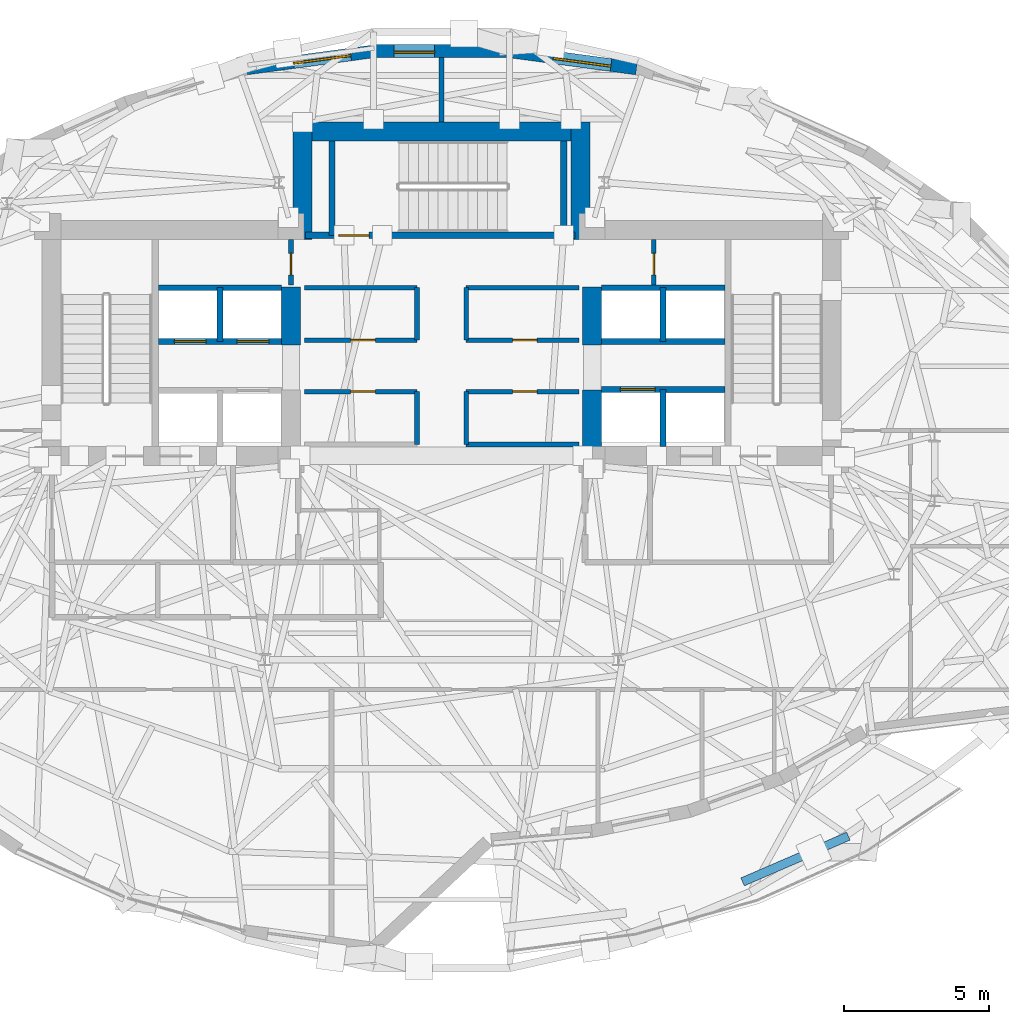
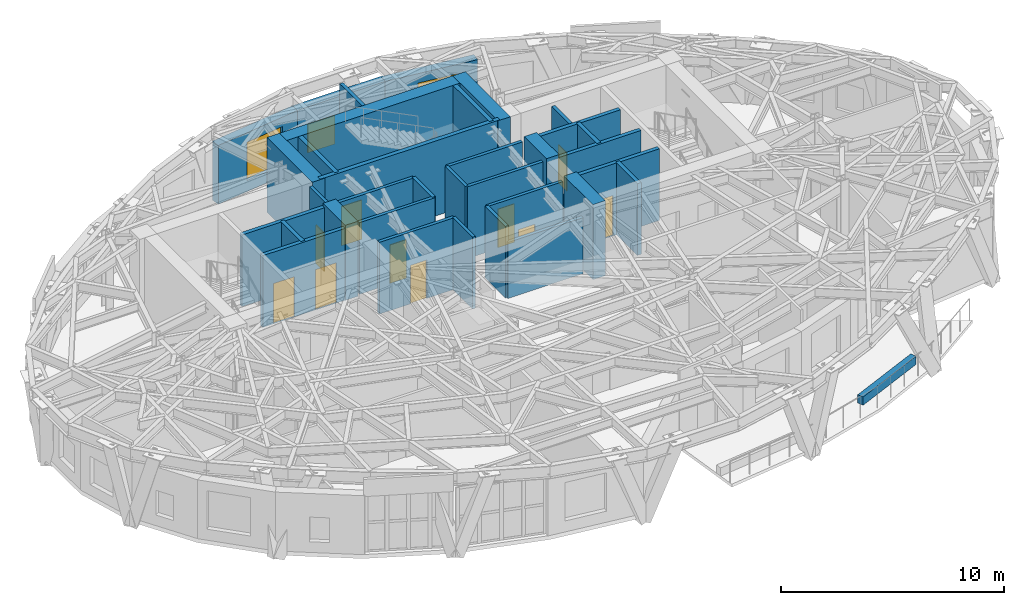
# One storey, part 10 of 15: 35 walls, 10 doors, 3 windows, 13 openings.
"""IFC4 building model written with IfcOpenShell, lengths in metres."""

import ifcopenshell
import ifcopenshell.guid

model = None  # the IFC model being written
_history = None  # IfcOwnerHistory: only IFC2X3 demands one
_inside = {}  # id of a spatial element -> (the spatial element, [elements in it])
_under = {}  # id of a project, library or spatial element -> (it, [spatial elements below it])
_declared = {}  # id of a project -> (the project, [libraries it declares])
_typed = {}  # id of a type object -> (the type object, [elements of that type])
_made_of = {}  # id of a material, layer set ... -> (it, [elements and type objects made of it])


def new_model(schema):
    """Start an empty IFC model of exactly this schema.

    Asked for "IFC4X3", IfcOpenShell would pick the latest addendum, in which some entities
    have other attributes; the version numbers below select the first issue.
    IFC2X3 requires an IfcOwnerHistory on every rooted entity: one is made here for all.
    """
    global model, _history
    if schema == "IFC4X3":
        model = ifcopenshell.file(schema_version=(4, 3, 0, 0))
    else:
        model = ifcopenshell.file(schema=schema)
    _inside.clear()
    _under.clear()
    _declared.clear()
    _typed.clear()
    _made_of.clear()
    _history = None
    if model.schema == "IFC2X3":
        org = make("IfcOrganization", Name="unknown")
        user = make(
            "IfcPersonAndOrganization",
            ThePerson=make("IfcPerson", FamilyName="unknown"),
            TheOrganization=org,
        )
        app = make(
            "IfcApplication",
            ApplicationDeveloper=org,
            Version="unknown",
            ApplicationFullName="unknown",
            ApplicationIdentifier="unknown",
        )
        _history = make(
            "IfcOwnerHistory",
            OwningUser=user,
            OwningApplication=app,
            ChangeAction="ADDED",
            CreationDate=0,
        )
    return model


def make(cls, **values):
    """One entity of the class cls with the attributes given. An attribute that is None is left unset."""
    return model.create_entity(
        cls, **{name: value for name, value in values.items() if value is not None}
    )


def rooted(cls, **values):
    """An entity with a GlobalId (a new one), such as an element, a storey or a relation."""
    return make(cls, GlobalId=ifcopenshell.guid.new(), OwnerHistory=_history, **values)


def si_unit(unit_type, name, prefix=None):
    """IfcSIUnit, for example si_unit("LENGTHUNIT", "METRE", prefix="MILLI")."""
    return make("IfcSIUnit", UnitType=unit_type, Prefix=prefix, Name=name)


def assignment(units):
    """IfcUnitAssignment: the units of a project."""
    return None if units is None else make("IfcUnitAssignment", Units=units)


def point(xyz):
    """IfcCartesianPoint."""
    return None if xyz is None else make("IfcCartesianPoint", Coordinates=xyz)


def direction(xyz):
    """IfcDirection."""
    return None if xyz is None else make("IfcDirection", DirectionRatios=xyz)


def frame(location, z_axis=None, x_axis=None):
    """IfcAxis2Placement3D, a coordinate frame: its origin and axes. An axis left out is left unset."""
    return make(
        "IfcAxis2Placement3D",
        Location=point(location),
        Axis=direction(z_axis),
        RefDirection=direction(x_axis),
    )


def frame_2d(location, x_axis=None):
    """IfcAxis2Placement2D, a coordinate frame in the plane: its origin and x axis."""
    return make(
        "IfcAxis2Placement2D", Location=point(location), RefDirection=direction(x_axis)
    )


def origin():
    """The frame at (0, 0, 0) with its axes left unset."""
    return frame((0.0, 0.0, 0.0))


def place(relative_to, where):
    """IfcLocalPlacement: puts the frame where relative to a parent placement (None: the world)."""
    return make(
        "IfcLocalPlacement", PlacementRelTo=relative_to, RelativePlacement=where
    )


def context(
    kind, dimensions, precision=None, world=None, true_north=None, identifier=None
):
    """IfcGeometricRepresentationContext, for example the 3D "Model" context."""
    return make(
        "IfcGeometricRepresentationContext",
        ContextIdentifier=identifier,
        ContextType=kind,
        CoordinateSpaceDimension=dimensions,
        Precision=precision,
        WorldCoordinateSystem=world,
        TrueNorth=true_north,
    )


def subcontext(parent, identifier, kind, view, scale=None):
    """IfcGeometricRepresentationSubContext, for example "Body" below "Model"."""
    return make(
        "IfcGeometricRepresentationSubContext",
        ContextIdentifier=identifier,
        ContextType=kind,
        ParentContext=parent,
        TargetScale=scale,
        TargetView=view,
    )


def project(units=None, contexts=None):
    """IfcProject with its units and contexts."""
    return rooted(
        "IfcProject",
        Name="project",
        RepresentationContexts=contexts,
        UnitsInContext=assignment(units),
    )


def spatial(cls, under=None, at=None, **own):
    """A site, building, storey or space (cls), placed at a placement, below another one or the project."""
    s = rooted(cls, ObjectPlacement=at, **own)
    if under is not None:
        _under.setdefault(under.id(), (under, []))[1].append(s)
    return s


def profile(cls, at=None, kind="AREA", **sizes):
    """A parametric profile (cls). Its sizes go by their IFC names, for example OverallWidth=200.0."""
    return make(cls, ProfileType=kind, Position=at, **sizes)


def rectangle(**sizes):
    """IfcRectangleProfileDef."""
    return profile("IfcRectangleProfileDef", **sizes)


def extrude(swept, where, along, depth):
    """IfcExtrudedAreaSolid: the profile swept, set in the frame where, extruded along a direction by depth."""
    return make(
        "IfcExtrudedAreaSolid",
        SweptArea=swept,
        Position=where,
        ExtrudedDirection=direction(along),
        Depth=depth,
    )


def shape(context_of_items, identifier, shape_type, items):
    """IfcShapeRepresentation: the items that make up one representation, for example the "Body"."""
    return make(
        "IfcShapeRepresentation",
        ContextOfItems=context_of_items,
        RepresentationIdentifier=identifier,
        RepresentationType=shape_type,
        Items=items,
    )


def material(Name=None, Category=None):
    """IfcMaterial."""
    return make("IfcMaterial", Name=Name, Category=Category)


def layer(
    of_material, thickness, ventilated=None, Name=None, Category=None, Priority=None
):
    """IfcMaterialLayer: one layer of a wall or slab, of a material (None: an air gap)."""
    return make(
        "IfcMaterialLayer",
        Material=of_material,
        LayerThickness=thickness,
        IsVentilated=ventilated,
        Name=Name,
        Category=Category,
        Priority=Priority,
    )


def layer_set(layers, Name=None):
    """IfcMaterialLayerSet."""
    return make("IfcMaterialLayerSet", MaterialLayers=layers, LayerSetName=Name)


def made_of(thing, what):
    """Note that an element or type object is made of a material, layer set ...; save() writes the relation."""
    if what is not None:
        _made_of.setdefault(what.id(), (what, []))[1].append(thing)
    return thing


def type_object(cls, material=None, **own):
    """A type object (cls), such as IfcWallType, which elements share."""
    return made_of(rooted(cls, **own), material)


def element(
    cls,
    number,
    at=None,
    inside=None,
    cuts=None,
    type_object=None,
    material=None,
    context=None,
    identifier="Body",
    shape_type=None,
    held_by="IfcProductDefinitionShape",
    body=None,
    shapes=None,
    **own,
):
    """One element of the class cls, such as IfcWall. Its Tag is "e" and its number.

    at: its placement. inside: the storey or other place that contains it. cuts: it is an
    opening in that element (IfcRelVoidsElement). A single representation is given by context,
    identifier, shape_type and body (its items); several are given by shapes. held_by: the class
    of the entity that holds the representations. save() writes the other relations.
    """
    e = rooted(cls, Tag="e%d" % number, ObjectPlacement=at, **own)
    if body is not None:
        shapes = [shape(context, identifier, shape_type, body)]
    if shapes is not None:
        e.Representation = make(held_by, Representations=shapes)
    if inside is not None:
        _inside.setdefault(inside.id(), (inside, []))[1].append(e)
    if cuts is not None:
        rooted(
            "IfcRelVoidsElement", RelatingBuildingElement=cuts, RelatedOpeningElement=e
        )
    if type_object is not None:
        _typed.setdefault(type_object.id(), (type_object, []))[1].append(e)
    return made_of(e, material)


def fill(opening, filler):
    """IfcRelFillsElement: the door or window that sits in an opening."""
    return rooted(
        "IfcRelFillsElement",
        RelatingOpeningElement=opening,
        RelatedBuildingElement=filler,
    )


def aggregate(whole, parts):
    """IfcRelAggregates: a whole, such as a stair, and the parts it consists of."""
    return rooted("IfcRelAggregates", RelatingObject=whole, RelatedObjects=parts)


def save(model, path):
    """Write the relations noted so far, then the file.

    IfcRelAggregates (storeys below a building ...), IfcRelContainedInSpatialStructure (elements
    in a storey), IfcRelDefinesByType, IfcRelAssociatesMaterial and IfcRelDeclares: one each for
    every whole, place, type object, material and project.
    """
    for whole, parts in _under.values():
        aggregate(whole, parts)
    for where, things in _inside.values():
        rooted(
            "IfcRelContainedInSpatialStructure",
            RelatedElements=things,
            RelatingStructure=where,
        )
    for kind, things in _typed.values():
        rooted("IfcRelDefinesByType", RelatedObjects=things, RelatingType=kind)
    for what, things in _made_of.values():
        rooted("IfcRelAssociatesMaterial", RelatedObjects=things, RelatingMaterial=what)
    for by, libraries in _declared.values():
        rooted("IfcRelDeclares", RelatingContext=by, RelatedDefinitions=libraries)
    model.write(path)


model = new_model("IFC4")

# Units and contexts
model_context = context("Model", 3, precision=1e-05, world=origin(), true_north=direction((0.0, 1.0)))
body_context = subcontext(model_context, "Body", "Model", "MODEL_VIEW")
ifc_project = project(units=[si_unit("LENGTHUNIT", "METRE"), si_unit("AREAUNIT", "SQUARE_METRE"), si_unit("VOLUMEUNIT", "CUBIC_METRE"), si_unit("PLANEANGLEUNIT", "RADIAN"), si_unit("MASSUNIT", "GRAM", prefix="KILO")], contexts=[model_context])

# Site, building, storey
site_placement = place(None, origin())
site = spatial("IfcSite", under=ifc_project, at=site_placement, CompositionType="ELEMENT")
building_placement = place(site_placement, origin())
building = spatial("IfcBuilding", under=site, at=building_placement, Name="Keldmark Tower", CompositionType="ELEMENT")
storey_placement = place(building_placement, frame((0.0, 0.0, 205.89990234375)))
storey = spatial("IfcBuildingStorey", under=building, at=storey_placement, Name="L57", CompositionType="ELEMENT", Elevation=205.89990234375)

# Wall
ifc_material_1 = material(Name="STC-58 Insulated Tenant Demising Gypsum Partition", Category="gypsum")
ifc_layer_1 = layer(ifc_material_1, 0.175048828125)
ifc_layer_set_1 = layer_set([ifc_layer_1], Name="STC-58 Insulated Tenant Demising Gypsum Partition")
wall_type_1 = type_object("IfcWallType", Name="Demising Suite Partition 175 mm", PredefinedType="PARTITIONING", material=ifc_layer_set_1)
wall_1_placement = place(storey_placement, frame((0.0, 13.050048828125, 0.0), z_axis=(0.0, 0.0, 1.0), x_axis=(0.0, 1.0, 0.0)))
element("IfcWall", 1, at=wall_1_placement, inside=storey, type_object=wall_type_1, Name="L57 Demising Suite Partition 175 mm N-MID-DIV", PredefinedType="PARTITIONING", context=body_context, shape_type="SweptSolid", body=[
    extrude(rectangle(XDim=2.225830078125, YDim=0.175048828125, at=frame_2d((1.11279296875, 0.0))), origin(), (0.0, 0.0, 1.0), 3.920166015625),
])

# Wall, opening, door
ifc_material_2 = material(Name="Type X Fire-Rated Gypsum Partition Assembly", Category="gypsum")
ifc_layer_2 = layer(ifc_material_2, 0.1650390625)
ifc_layer_set_2 = layer_set([ifc_layer_2], Name="Type X Fire-Rated Gypsum Partition Assembly")
wall_type_2 = type_object("IfcWallType", Name="Rated Partition 165 mm", PredefinedType="PARTITIONING", material=ifc_layer_set_2)
wall_2_placement = place(storey_placement, frame((-4.739990234375, 3.739990234375, 0.0), z_axis=(0.0, 0.0, 1.0), x_axis=(1.0, 0.0, 0.0)))
wall_2 = element("IfcWall", 2, at=wall_2_placement, inside=storey, type_object=wall_type_2, Name="L57 Rated Partition 165 mm REC-LW-N", PredefinedType="PARTITIONING", context=body_context, shape_type="SweptSolid", body=[
    extrude(rectangle(XDim=3.889892578125, YDim=0.1650390625, at=frame_2d((1.94482421875, 0.0))), origin(), (0.0, 0.0, 1.0), 3.920166015625),
])
opening_1_placement = place(wall_2_placement, frame((1.60009765625, 0.0, 0.0)))
opening_1 = element("IfcOpeningElement", 3, at=opening_1_placement, cuts=wall_2, Name="Opening D-SV085", PredefinedType="OPENING", context=body_context, shape_type="SweptSolid", body=[
    extrude(rectangle(XDim=0.85009765625, YDim=2.10009765625, at=frame_2d((0.425048828125, 1.050048828125))), frame((0.0, 0.092529296875, 0.0), z_axis=(0.0, -1.0, 0.0), x_axis=(1.0, 0.0, 0.0)), (0.0, 0.0, 1.0), 0.18505859375),
])
ifc_material_3 = material(Name="Painted Hollow Metal Door Assembly", Category="metal")
door_type_1 = type_object("IfcDoorType", Name="Service Door 850x2100", OperationType="NOTDEFINED", PredefinedType="DOOR", material=ifc_material_3)
door_1_placement = place(opening_1_placement, origin())
door_1 = element("IfcDoor", 4, at=door_1_placement, inside=storey, type_object=door_type_1, Name="L57 Service Door 850x2100 D-RECLW1-L57", OperationType="SINGLE_SWING_LEFT", OverallHeight=2.10009765625, OverallWidth=0.85009765625, PredefinedType="DOOR", context=body_context, shape_type="SweptSolid", body=[
    extrude(rectangle(XDim=0.85009765625, YDim=2.10009765625, at=frame_2d((0.425048828125, 1.050048828125))), frame((0.0, 0.02490234375, 0.0), z_axis=(0.0, -1.0, 0.0), x_axis=(1.0, 0.0, 0.0)), (0.0, 0.0, 1.0), 0.050048828125),
])
fill(opening_1, door_1)

# Walls
wall_3_placement = place(storey_placement, frame((-0.85009765625, 1.919921875, 0.0), z_axis=(0.0, 0.0, 1.0), x_axis=(0.0, 1.0, 0.0)))
element("IfcWall", 5, at=wall_3_placement, inside=storey, type_object=wall_type_2, Name="L57 Rated Partition 165 mm REC-LW-E", PredefinedType="PARTITIONING", context=body_context, shape_type="SweptSolid", body=[
    extrude(rectangle(XDim=1.820068359375, YDim=0.1650390625, at=frame_2d((0.91015625, 0.0))), origin(), (0.0, 0.0, 1.0), 3.920166015625),
])
wall_4_placement = place(storey_placement, frame((0.85009765625, 1.919921875, 0.0), z_axis=(0.0, 0.0, 1.0), x_axis=(1.0, 0.0, 0.0)))
element("IfcWall", 6, at=wall_4_placement, inside=storey, type_object=wall_type_2, Name="L57 Rated Partition 165 mm REC-LE-S", PredefinedType="PARTITIONING", context=body_context, shape_type="SweptSolid", body=[
    extrude(rectangle(XDim=3.889892578125, YDim=0.1650390625, at=frame_2d((1.94482421875, 0.0))), origin(), (0.0, 0.0, 1.0), 3.06005859375),
])

# Wall, opening, door
wall_5_placement = place(storey_placement, frame((0.85009765625, 3.739990234375, 0.0), z_axis=(0.0, 0.0, 1.0), x_axis=(1.0, 0.0, 0.0)))
wall_5 = element("IfcWall", 7, at=wall_5_placement, inside=storey, type_object=wall_type_2, Name="L57 Rated Partition 165 mm REC-LE-N", PredefinedType="PARTITIONING", context=body_context, shape_type="SweptSolid", body=[
    extrude(rectangle(XDim=3.889892578125, YDim=0.1650390625, at=frame_2d((1.94482421875, 0.0))), origin(), (0.0, 0.0, 1.0), 3.920166015625),
])
opening_2_placement = place(wall_5_placement, frame((1.60009765625, 0.0, 0.0)))
opening_2 = element("IfcOpeningElement", 8, at=opening_2_placement, cuts=wall_5, Name="Opening D-SV085", PredefinedType="OPENING", context=body_context, shape_type="SweptSolid", body=[
    extrude(rectangle(XDim=0.85009765625, YDim=2.10009765625, at=frame_2d((0.425048828125, 1.050048828125))), frame((0.0, 0.092529296875, 0.0), z_axis=(0.0, -1.0, 0.0), x_axis=(1.0, 0.0, 0.0)), (0.0, 0.0, 1.0), 0.18505859375),
])
door_2_placement = place(opening_2_placement, origin())
door_2 = element("IfcDoor", 9, at=door_2_placement, inside=storey, type_object=door_type_1, Name="L57 Service Door 850x2100 D-RECLE1-L57", OperationType="SINGLE_SWING_RIGHT", OverallHeight=2.10009765625, OverallWidth=0.85009765625, PredefinedType="DOOR", context=body_context, shape_type="SweptSolid", body=[
    extrude(rectangle(XDim=0.85009765625, YDim=2.10009765625, at=frame_2d((0.425048828125, 1.050048828125))), frame((0.0, 0.02490234375, 0.0), z_axis=(0.0, -1.0, 0.0), x_axis=(1.0, 0.0, 0.0)), (0.0, 0.0, 1.0), 0.050048828125),
])
fill(opening_2, door_2)

# Wall
wall_6_placement = place(storey_placement, frame((0.85009765625, 1.919921875, 0.0), z_axis=(0.0, 0.0, 1.0), x_axis=(0.0, 1.0, 0.0)))
element("IfcWall", 10, at=wall_6_placement, inside=storey, type_object=wall_type_2, Name="L57 Rated Partition 165 mm REC-LE-W", PredefinedType="PARTITIONING", context=body_context, shape_type="SweptSolid", body=[
    extrude(rectangle(XDim=1.820068359375, YDim=0.1650390625, at=frame_2d((0.91015625, 0.0))), origin(), (0.0, 0.0, 1.0), 3.920166015625),
])

# Wall, opening, door
wall_7_placement = place(storey_placement, frame((-4.739990234375, 5.52001953125, 0.0), z_axis=(0.0, 0.0, 1.0), x_axis=(1.0, 0.0, 0.0)))
wall_7 = element("IfcWall", 11, at=wall_7_placement, inside=storey, type_object=wall_type_2, Name="L57 Rated Partition 165 mm REC-MW-S", PredefinedType="PARTITIONING", context=body_context, shape_type="SweptSolid", body=[
    extrude(rectangle(XDim=3.889892578125, YDim=0.1650390625, at=frame_2d((1.94482421875, 0.0))), origin(), (0.0, 0.0, 1.0), 3.920166015625),
])
opening_3_placement = place(wall_7_placement, frame((1.60009765625, 0.0, 0.0)))
opening_3 = element("IfcOpeningElement", 12, at=opening_3_placement, cuts=wall_7, Name="Opening D-SV085", PredefinedType="OPENING", context=body_context, shape_type="SweptSolid", body=[
    extrude(rectangle(XDim=0.85009765625, YDim=2.10009765625, at=frame_2d((0.425048828125, 1.050048828125))), frame((0.0, 0.092529296875, 0.0), z_axis=(0.0, -1.0, 0.0), x_axis=(1.0, 0.0, 0.0)), (0.0, 0.0, 1.0), 0.18505859375),
])
door_3_placement = place(opening_3_placement, origin())
door_3 = element("IfcDoor", 13, at=door_3_placement, inside=storey, type_object=door_type_1, Name="L57 Service Door 850x2100 D-RECMW1-L57", OperationType="SINGLE_SWING_LEFT", OverallHeight=2.10009765625, OverallWidth=0.85009765625, PredefinedType="DOOR", context=body_context, shape_type="SweptSolid", body=[
    extrude(rectangle(XDim=0.85009765625, YDim=2.10009765625, at=frame_2d((0.425048828125, 1.050048828125))), frame((0.0, 0.02490234375, 0.0), z_axis=(0.0, -1.0, 0.0), x_axis=(1.0, 0.0, 0.0)), (0.0, 0.0, 1.0), 0.050048828125),
])
fill(opening_3, door_3)

# Walls
wall_8_placement = place(storey_placement, frame((-4.739990234375, 7.330078125, 0.0), z_axis=(0.0, 0.0, 1.0), x_axis=(1.0, 0.0, 0.0)))
element("IfcWall", 14, at=wall_8_placement, inside=storey, type_object=wall_type_2, Name="L57 Rated Partition 165 mm REC-MW-N", PredefinedType="PARTITIONING", context=body_context, shape_type="SweptSolid", body=[
    extrude(rectangle(XDim=3.889892578125, YDim=0.1650390625, at=frame_2d((1.94482421875, 0.0))), origin(), (0.0, 0.0, 1.0), 3.920166015625),
])
wall_9_placement = place(storey_placement, frame((-0.85009765625, 5.52001953125, 0.0), z_axis=(0.0, 0.0, 1.0), x_axis=(0.0, 1.0, 0.0)))
element("IfcWall", 15, at=wall_9_placement, inside=storey, type_object=wall_type_2, Name="L57 Rated Partition 165 mm REC-MW-E", PredefinedType="PARTITIONING", context=body_context, shape_type="SweptSolid", body=[
    extrude(rectangle(XDim=1.81005859375, YDim=0.1650390625, at=frame_2d((0.905029296875, 0.0))), origin(), (0.0, 0.0, 1.0), 3.920166015625),
])

# Wall, opening, door
wall_10_placement = place(storey_placement, frame((0.85009765625, 5.52001953125, 0.0), z_axis=(0.0, 0.0, 1.0), x_axis=(1.0, 0.0, 0.0)))
wall_10 = element("IfcWall", 16, at=wall_10_placement, inside=storey, type_object=wall_type_2, Name="L57 Rated Partition 165 mm REC-ME-S", PredefinedType="PARTITIONING", context=body_context, shape_type="SweptSolid", body=[
    extrude(rectangle(XDim=3.889892578125, YDim=0.1650390625, at=frame_2d((1.94482421875, 0.0))), origin(), (0.0, 0.0, 1.0), 3.920166015625),
])
opening_4_placement = place(wall_10_placement, frame((1.60009765625, 0.0, 0.0)))
opening_4 = element("IfcOpeningElement", 17, at=opening_4_placement, cuts=wall_10, Name="Opening D-SV085", PredefinedType="OPENING", context=body_context, shape_type="SweptSolid", body=[
    extrude(rectangle(XDim=0.85009765625, YDim=2.10009765625, at=frame_2d((0.425048828125, 1.050048828125))), frame((0.0, 0.092529296875, 0.0), z_axis=(0.0, -1.0, 0.0), x_axis=(1.0, 0.0, 0.0)), (0.0, 0.0, 1.0), 0.18505859375),
])
door_4_placement = place(opening_4_placement, origin())
door_4 = element("IfcDoor", 18, at=door_4_placement, inside=storey, type_object=door_type_1, Name="L57 Service Door 850x2100 D-RECME1-L57", OperationType="SINGLE_SWING_RIGHT", OverallHeight=2.10009765625, OverallWidth=0.85009765625, PredefinedType="DOOR", context=body_context, shape_type="SweptSolid", body=[
    extrude(rectangle(XDim=0.85009765625, YDim=2.10009765625, at=frame_2d((0.425048828125, 1.050048828125))), frame((0.0, 0.02490234375, 0.0), z_axis=(0.0, -1.0, 0.0), x_axis=(1.0, 0.0, 0.0)), (0.0, 0.0, 1.0), 0.050048828125),
])
fill(opening_4, door_4)

# Walls
wall_11_placement = place(storey_placement, frame((0.85009765625, 7.330078125, 0.0), z_axis=(0.0, 0.0, 1.0), x_axis=(1.0, 0.0, 0.0)))
element("IfcWall", 19, at=wall_11_placement, inside=storey, type_object=wall_type_2, Name="L57 Rated Partition 165 mm REC-ME-N", PredefinedType="PARTITIONING", context=body_context, shape_type="SweptSolid", body=[
    extrude(rectangle(XDim=3.889892578125, YDim=0.1650390625, at=frame_2d((1.94482421875, 0.0))), origin(), (0.0, 0.0, 1.0), 3.920166015625),
])
wall_12_placement = place(storey_placement, frame((0.85009765625, 5.52001953125, 0.0), z_axis=(0.0, 0.0, 1.0), x_axis=(0.0, 1.0, 0.0)))
element("IfcWall", 20, at=wall_12_placement, inside=storey, type_object=wall_type_2, Name="L57 Rated Partition 165 mm REC-ME-W", PredefinedType="PARTITIONING", context=body_context, shape_type="SweptSolid", body=[
    extrude(rectangle(XDim=1.81005859375, YDim=0.1650390625, at=frame_2d((0.905029296875, 0.0))), origin(), (0.0, 0.0, 1.0), 3.920166015625),
])

# Wall, opening, door
wall_13_placement = place(storey_placement, frame((-5.199951171875, 7.419921875, 0.0), z_axis=(0.0, 0.0, 1.0), x_axis=(0.0, 1.0, 0.0)))
wall_13 = element("IfcWall", 21, at=wall_13_placement, inside=storey, type_object=wall_type_2, Name="L57 Rated Partition 165 mm CS-NW-E", PredefinedType="PARTITIONING", context=body_context, shape_type="SweptSolid", body=[
    extrude(rectangle(XDim=1.580078125, YDim=0.1650390625, at=frame_2d((0.7900390625, 0.0))), origin(), (0.0, 0.0, 1.0), 3.920166015625),
])
opening_5_placement = place(wall_13_placement, frame((0.35009765625, 0.0, 0.0)))
opening_5 = element("IfcOpeningElement", 22, at=opening_5_placement, cuts=wall_13, Name="Opening D-RS075", PredefinedType="OPENING", context=body_context, shape_type="SweptSolid", body=[
    extrude(rectangle(XDim=0.75, YDim=2.10009765625, at=frame_2d((0.375, 1.050048828125))), frame((0.0, 0.092529296875, 0.0), z_axis=(0.0, -1.0, 0.0), x_axis=(1.0, 0.0, 0.0)), (0.0, 0.0, 1.0), 0.18505859375),
])
ifc_material_4 = material(Name="Galvanized Fire-Rated Access Leaf", Category="metal")
door_type_2 = type_object("IfcDoorType", Name="Riser Access Door 750x2100", OperationType="NOTDEFINED", PredefinedType="DOOR", material=ifc_material_4)
door_5_placement = place(opening_5_placement, origin())
door_5 = element("IfcDoor", 23, at=door_5_placement, inside=storey, type_object=door_type_2, Name="L57 Riser Access Door 750x2100 D-CSNW1-L57", OperationType="SINGLE_SWING_LEFT", OverallHeight=2.10009765625, OverallWidth=0.75, PredefinedType="DOOR", context=body_context, shape_type="SweptSolid", body=[
    extrude(rectangle(XDim=0.75, YDim=2.10009765625, at=frame_2d((0.375, 1.050048828125))), frame((0.0, 0.02490234375, 0.0), z_axis=(0.0, -1.0, 0.0), x_axis=(1.0, 0.0, 0.0)), (0.0, 0.0, 1.0), 0.050048828125),
])
fill(opening_5, door_5)

wall_14_placement = place(storey_placement, frame((7.330078125, 7.419921875, 0.0), z_axis=(0.0, 0.0, 1.0), x_axis=(0.0, 1.0, 0.0)))
wall_14 = element("IfcWall", 24, at=wall_14_placement, inside=storey, type_object=wall_type_2, Name="L57 Rated Partition 165 mm CS-NE-W", PredefinedType="PARTITIONING", context=body_context, shape_type="SweptSolid", body=[
    extrude(rectangle(XDim=1.580078125, YDim=0.1650390625, at=frame_2d((0.7900390625, 0.0))), origin(), (0.0, 0.0, 1.0), 3.920166015625),
])
opening_6_placement = place(wall_14_placement, frame((0.35009765625, 0.0, 0.0)))
opening_6 = element("IfcOpeningElement", 25, at=opening_6_placement, cuts=wall_14, Name="Opening D-RS075", PredefinedType="OPENING", context=body_context, shape_type="SweptSolid", body=[
    extrude(rectangle(XDim=0.75, YDim=2.10009765625, at=frame_2d((0.375, 1.050048828125))), frame((0.0, 0.092529296875, 0.0), z_axis=(0.0, -1.0, 0.0), x_axis=(1.0, 0.0, 0.0)), (0.0, 0.0, 1.0), 0.18505859375),
])
door_6_placement = place(opening_6_placement, origin())
door_6 = element("IfcDoor", 26, at=door_6_placement, inside=storey, type_object=door_type_2, Name="L57 Riser Access Door 750x2100 D-CSNE1-L57", OperationType="SINGLE_SWING_LEFT", OverallHeight=2.10009765625, OverallWidth=0.75, PredefinedType="DOOR", context=body_context, shape_type="SweptSolid", body=[
    extrude(rectangle(XDim=0.75, YDim=2.10009765625, at=frame_2d((0.375, 1.050048828125))), frame((0.0, 0.02490234375, 0.0), z_axis=(0.0, -1.0, 0.0), x_axis=(1.0, 0.0, 0.0)), (0.0, 0.0, 1.0), 0.050048828125),
])
fill(opening_6, door_6)

# Wall, openings, doors
ifc_material_5 = material(Name="Fire-Resistant Type X Gypsum Shaftliner Coreboard", Category="gypsum")
ifc_layer_3 = layer(ifc_material_5, 0.199951171875)
ifc_layer_set_3 = layer_set([ifc_layer_3], Name="Fire-Resistant Type X Gypsum Shaftliner Coreboard")
wall_type_3 = type_object("IfcWallType", Name="Shaft Wall 200 mm", PredefinedType="SOLIDWALL", material=ifc_layer_set_3)
wall_15_placement = place(storey_placement, frame((-9.780029296875, 5.469970703125, 0.0), z_axis=(0.0, 0.0, 1.0), x_axis=(1.0, 0.0, 0.0)))
wall_15 = element("IfcWall", 27, at=wall_15_placement, inside=storey, type_object=wall_type_3, Name="L57 Shaft Wall 200 mm HW-W-N", PredefinedType="SOLIDWALL", context=body_context, shape_type="SweptSolid", body=[
    extrude(rectangle(XDim=4.255126953125, YDim=0.199951171875, at=frame_2d((2.12744140625, 0.0))), origin(), (0.0, 0.0, 1.0), 3.920166015625),
])
opening_7_placement = place(wall_15_placement, frame((0.550048828125, 0.0, 0.0)))
opening_7 = element("IfcOpeningElement", 28, at=opening_7_placement, cuts=wall_15, Name="Opening LD-110", PredefinedType="OPENING", context=body_context, shape_type="SweptSolid", body=[
    extrude(rectangle(XDim=1.10009765625, YDim=2.199951171875, at=frame_2d((0.550048828125, 1.10009765625))), frame((0.0, 0.10986328125, 0.0), z_axis=(0.0, -1.0, 0.0), x_axis=(1.0, 0.0, 0.0)), (0.0, 0.0, 1.0), 0.219970703125),
])
opening_8_placement = place(wall_15_placement, frame((2.719970703125, 0.0, 0.0)))
opening_8 = element("IfcOpeningElement", 29, at=opening_8_placement, cuts=wall_15, Name="Opening LD-110", PredefinedType="OPENING", context=body_context, shape_type="SweptSolid", body=[
    extrude(rectangle(XDim=1.10009765625, YDim=2.199951171875, at=frame_2d((0.550048828125, 1.10009765625))), frame((0.0, 0.10986328125, 0.0), z_axis=(0.0, -1.0, 0.0), x_axis=(1.0, 0.0, 0.0)), (0.0, 0.0, 1.0), 0.219970703125),
])
ifc_material_6 = material(Name="Brushed Bronze Hoistway Sliding Leaf", Category="metal")
door_type_3 = type_object("IfcDoorType", Name="Lift Landing Sliding Door 1100x2200", OperationType="SLIDING_TO_LEFT", PredefinedType="DOOR", material=ifc_material_6)
door_7_placement = place(opening_7_placement, origin())
door_7 = element("IfcDoor", 30, at=door_7_placement, inside=storey, type_object=door_type_3, Name="L57 Lift Landing Sliding Door 1100x2200 LD-EL-H1-L57", OperationType="SLIDING_TO_LEFT", OverallHeight=2.199951171875, OverallWidth=1.10009765625, PredefinedType="DOOR", context=body_context, shape_type="SweptSolid", body=[
    extrude(rectangle(XDim=1.10009765625, YDim=2.199951171875, at=frame_2d((0.550048828125, 1.10009765625))), frame((0.0, 0.02490234375, 0.0), z_axis=(0.0, -1.0, 0.0), x_axis=(1.0, 0.0, 0.0)), (0.0, 0.0, 1.0), 0.050048828125),
])
fill(opening_7, door_7)
door_8_placement = place(opening_8_placement, origin())
door_8 = element("IfcDoor", 31, at=door_8_placement, inside=storey, type_object=door_type_3, Name="L57 Lift Landing Sliding Door 1100x2200 LD-EL-H2-L57", OperationType="SLIDING_TO_LEFT", OverallHeight=2.199951171875, OverallWidth=1.10009765625, PredefinedType="DOOR", context=body_context, shape_type="SweptSolid", body=[
    extrude(rectangle(XDim=1.10009765625, YDim=2.199951171875, at=frame_2d((0.550048828125, 1.10009765625))), frame((0.0, 0.02490234375, 0.0), z_axis=(0.0, -1.0, 0.0), x_axis=(1.0, 0.0, 0.0)), (0.0, 0.0, 1.0), 0.050048828125),
])
fill(opening_8, door_8)

# Walls
wall_16_placement = place(storey_placement, frame((-9.780029296875, 7.330078125, 0.0), z_axis=(0.0, 0.0, 1.0), x_axis=(1.0, 0.0, 0.0)))
element("IfcWall", 32, at=wall_16_placement, inside=storey, type_object=wall_type_3, Name="L57 Shaft Wall 200 mm HW-W-TOP", PredefinedType="SOLIDWALL", context=body_context, shape_type="SweptSolid", body=[
    extrude(rectangle(XDim=4.255126953125, YDim=0.199951171875, at=frame_2d((2.12744140625, 0.0))), origin(), (0.0, 0.0, 1.0), 3.920166015625),
])
wall_17_placement = place(storey_placement, frame((-7.64990234375, 5.469970703125, 0.0), z_axis=(0.0, 0.0, 1.0), x_axis=(0.0, 1.0, 0.0)))
element("IfcWall", 33, at=wall_17_placement, inside=storey, type_object=wall_type_3, Name="L57 Shaft Wall 200 mm HW-W-NM", PredefinedType="SOLIDWALL", context=body_context, shape_type="SweptSolid", body=[
    extrude(rectangle(XDim=1.860107421875, YDim=0.199951171875, at=frame_2d((0.93017578125, 0.0))), origin(), (0.0, 0.0, 1.0), 3.920166015625),
])

# Wall, opening, door
wall_18_placement = place(storey_placement, frame((5.52490234375, 3.820068359375, 0.0), z_axis=(0.0, 0.0, 1.0), x_axis=(1.0, 0.0, 0.0)))
wall_18 = element("IfcWall", 34, at=wall_18_placement, inside=storey, type_object=wall_type_3, Name="L57 Shaft Wall 200 mm HW-E-S", PredefinedType="SOLIDWALL", context=body_context, shape_type="SweptSolid", body=[
    extrude(rectangle(XDim=4.255126953125, YDim=0.199951171875, at=frame_2d((2.12744140625, 0.0))), origin(), (0.0, 0.0, 1.0), 3.920166015625),
])
opening_9_placement = place(wall_18_placement, frame((0.64990234375, 0.0, 0.0)))
opening_9 = element("IfcOpeningElement", 35, at=opening_9_placement, cuts=wall_18, Name="Opening LD-120", PredefinedType="OPENING", context=body_context, shape_type="SweptSolid", body=[
    extrude(rectangle(XDim=1.199951171875, YDim=2.199951171875, at=frame_2d((0.60009765625, 1.10009765625))), frame((0.0, 0.10986328125, 0.0), z_axis=(0.0, -1.0, 0.0), x_axis=(1.0, 0.0, 0.0)), (0.0, 0.0, 1.0), 0.219970703125),
])
ifc_material_7 = material(Name="Heavy-Duty Brushed Metal Hoistway Sliding Leaf", Category="metal")
door_type_4 = type_object("IfcDoorType", Name="Service Lift Sliding Door 1200x2200", OperationType="SLIDING_TO_RIGHT", PredefinedType="DOOR", material=ifc_material_7)
door_9_placement = place(opening_9_placement, origin())
door_9 = element("IfcDoor", 36, at=door_9_placement, inside=storey, type_object=door_type_4, Name="L57 Service Lift Sliding Door 1200x2200 LD-EL-SV1-L57", OperationType="SLIDING_TO_RIGHT", OverallHeight=2.199951171875, OverallWidth=1.199951171875, PredefinedType="DOOR", context=body_context, shape_type="SweptSolid", body=[
    extrude(rectangle(XDim=1.199951171875, YDim=2.199951171875, at=frame_2d((0.60009765625, 1.10009765625))), frame((0.0, 0.02490234375, 0.0), z_axis=(0.0, -1.0, 0.0), x_axis=(1.0, 0.0, 0.0)), (0.0, 0.0, 1.0), 0.050048828125),
])
fill(opening_9, door_9)

# Walls
wall_19_placement = place(storey_placement, frame((7.64990234375, 1.85009765625, 0.0), z_axis=(0.0, 0.0, 1.0), x_axis=(0.0, 1.0, 0.0)))
element("IfcWall", 37, at=wall_19_placement, inside=storey, type_object=wall_type_3, Name="L57 Shaft Wall 200 mm HW-E-M", PredefinedType="SOLIDWALL", context=body_context, shape_type="SweptSolid", body=[
    extrude(rectangle(XDim=1.969970703125, YDim=0.199951171875, at=frame_2d((0.98486328125, 0.0))), origin(), (0.0, 0.0, 1.0), 3.920166015625),
])
for number, where, z_axis, x_axis, name in (
    (38, (5.52490234375, 5.469970703125, 0.0), (0.0, 0.0, 1.0), (1.0, 0.0, 0.0), "L57 Shaft Wall 200 mm HW-E-N"),
    (39, (5.52490234375, 7.330078125, 0.0), (0.0, 0.0, 1.0), (1.0, 0.0, 0.0), "L57 Shaft Wall 200 mm HW-E-TOP"),
):
    element("IfcWall", number, at=place(storey_placement, frame(where, z_axis=z_axis, x_axis=x_axis)), inside=storey, type_object=wall_type_3, Name=name, PredefinedType="SOLIDWALL", context=body_context, shape_type="SweptSolid", body=[
        extrude(rectangle(XDim=4.255126953125, YDim=0.199951171875, at=frame_2d((2.12744140625, 0.0))), origin(), (0.0, 0.0, 1.0), 3.920166015625),
    ])
wall_20_placement = place(storey_placement, frame((7.64990234375, 5.469970703125, 0.0), z_axis=(0.0, 0.0, 1.0), x_axis=(0.0, 1.0, 0.0)))
element("IfcWall", 40, at=wall_20_placement, inside=storey, type_object=wall_type_3, Name="L57 Shaft Wall 200 mm HW-E-NM", PredefinedType="SOLIDWALL", context=body_context, shape_type="SweptSolid", body=[
    extrude(rectangle(XDim=1.860107421875, YDim=0.199951171875, at=frame_2d((0.93017578125, 0.0))), origin(), (0.0, 0.0, 1.0), 3.920166015625),
])

# Wall, opening, door
ifc_material_8 = material(Name="Concrete C50/60", Category="concrete")
ifc_layer_4 = layer(ifc_material_8, 0.219970703125)
ifc_layer_set_4 = layer_set([ifc_layer_4], Name="Concrete C50/60")
wall_type_4 = type_object("IfcWallType", Name="Stair Core Shear Wall 220 mm", PredefinedType="SHEAR", material=ifc_layer_set_4)
wall_21_placement = place(storey_placement, frame((-4.699951171875, 9.139892578125, 0.0), z_axis=(0.0, 0.0, 1.0), x_axis=(1.0, 0.0, 0.0)))
wall_21 = element("IfcWall", 41, at=wall_21_placement, inside=storey, type_object=wall_type_4, Name="L57 Central Stair Core South Shear Wall", PredefinedType="SHEAR", context=body_context, shape_type="SweptSolid", body=[
    extrude(rectangle(XDim=9.300048828125, YDim=0.219970703125, at=frame_2d((4.64990234375, 0.0))), origin(), (0.0, 0.0, 1.0), 4.10009765625),
])
opening_10_placement = place(wall_21_placement, frame((1.14990234375, 0.0, 0.0)))
opening_10 = element("IfcOpeningElement", 42, at=opening_10_placement, cuts=wall_21, Name="Opening D-ST105", PredefinedType="OPENING", context=body_context, shape_type="SweptSolid", body=[
    extrude(rectangle(XDim=1.050048828125, YDim=2.14990234375, at=frame_2d((0.52490234375, 1.074951171875))), frame((0.0, 0.119873046875, 0.0), z_axis=(0.0, -1.0, 0.0), x_axis=(1.0, 0.0, 0.0)), (0.0, 0.0, 1.0), 0.239990234375),
])
ifc_material_9 = material(Name="Hollow Metal Fire-Rated Door Assembly", Category="metal")
door_type_5 = type_object("IfcDoorType", Name="Stair Fire Door 1050x2150", OperationType="NOTDEFINED", PredefinedType="DOOR", material=ifc_material_9)
door_10_placement = place(opening_10_placement, origin())
door_10 = element("IfcDoor", 43, at=door_10_placement, inside=storey, type_object=door_type_5, Name="L57 Stair Fire Door 1050x2150 D-ST3-L57", OperationType="SINGLE_SWING_RIGHT", OverallHeight=2.14990234375, OverallWidth=1.050048828125, PredefinedType="DOOR", context=body_context, shape_type="SweptSolid", body=[
    extrude(rectangle(XDim=1.050048828125, YDim=2.14990234375, at=frame_2d((0.52490234375, 1.074951171875))), frame((0.0, 0.02490234375, 0.0), z_axis=(0.0, -1.0, 0.0), x_axis=(1.0, 0.0, 0.0)), (0.0, 0.0, 1.0), 0.050048828125),
])
fill(opening_10, door_10)

# Walls
for number, where, z_axis, x_axis, name in (
    (44, (-3.784912109375, 9.139892578125, 0.0), (0.0, 0.0, 1.0), (0.0, 1.0, 0.0), "L57 Central Stair Core West Shear Wall"),
    (45, (4.215087890625, 9.139892578125, 0.0), (0.0, 0.0, 1.0), (0.0, 1.0, 0.0), "L57 Central Stair Core East Shear Wall"),
):
    element("IfcWall", number, at=place(storey_placement, frame(where, z_axis=z_axis, x_axis=x_axis)), inside=storey, type_object=wall_type_4, Name=name, PredefinedType="SHEAR", context=body_context, shape_type="SweptSolid", body=[
        extrude(rectangle(XDim=3.260009765625, YDim=0.219970703125, at=frame_2d((1.6298828125, 0.0))), origin(), (0.0, 0.0, 1.0), 4.10009765625),
    ])
ifc_material_10 = material(Name="Ironspot Manganese Brick Planter Masonry", Category="masonry")
ifc_layer_5 = layer(ifc_material_10, 0.300048828125)
ifc_layer_set_5 = layer_set([ifc_layer_5], Name="Ironspot Manganese Brick Planter Masonry")
wall_type_5 = type_object("IfcWallType", Name="Terrace Brick Planter Kerb Wall 300 mm", PredefinedType="PARAPET", material=ifc_layer_set_5)
wall_22_placement = place(storey_placement, frame((10.3955078125, -13.188232421875, 0.0), z_axis=(0.0, 0.0, 1.0), x_axis=(0.917864886546, 0.396892995713, 0.0)))
element("IfcWall", 46, at=wall_22_placement, inside=storey, type_object=wall_type_5, Name="L57 Sky Garden Planter 03", PredefinedType="PARAPET", context=body_context, shape_type="SweptSolid", body=[
    extrude(rectangle(XDim=3.98046875, YDim=0.300048828125, at=frame_2d((1.990234375, 0.0))), origin(), (0.0, 0.0, 1.0), 0.4501953125),
])

# Wall, opening, window
ifc_material_11 = material(Name="Ironspot Manganese Brick and Kasota Buff Limestone Spandrel Assembly", Category="masonry")
ifc_layer_6 = layer(ifc_material_11, 0.43994140625)
ifc_layer_set_6 = layer_set([ifc_layer_6], Name="Ironspot Manganese Brick and Kasota Buff Limestone Spandrel Assembly")
wall_type_6 = type_object("IfcWallType", Name="Tower Brick Pier and Spandrel Wall 440 mm", PredefinedType="STANDARD", material=ifc_layer_set_6)
wall_23_placement = place(storey_placement, frame((2.25439453125, 15.505859375, 0.0), z_axis=(0.0, 0.0, 1.0), x_axis=(0.991025333234, -0.133674189316, 0.0)))
wall_23 = element("IfcWall", 47, at=wall_23_placement, inside=storey, type_object=wall_type_6, Name="L57 Exterior Brick and Spandrel Wall 07", PredefinedType="STANDARD", context=body_context, shape_type="SweptSolid", body=[
    extrude(rectangle(XDim=4.520263671875, YDim=0.43994140625, at=frame_2d((2.26025390625, 0.0))), origin(), (0.0, 0.0, 1.0), 3.215087890625),
])
opening_11_placement = place(wall_23_placement, frame((1.6298828125, 0.0, 0.60009765625)))
opening_11 = element("IfcOpeningElement", 48, at=opening_11_placement, cuts=wall_23, Name="Opening W-06", PredefinedType="OPENING", context=body_context, shape_type="SweptSolid", body=[
    extrude(rectangle(XDim=2.0, YDim=2.10009765625, at=frame_2d((1.0, 1.050048828125))), frame((0.0, 0.22998046875, 0.0), z_axis=(0.0, -1.0, 0.0), x_axis=(1.0, 0.0, 0.0)), (0.0, 0.0, 1.0), 0.4599609375),
])
ifc_material_12 = material(Name="Thermally Broken Anodized Aluminum and Triple Low-E Argon Glazing", Category="aluminium")
window_type_1 = type_object("IfcWindowType", Name="Sky Lounge Tall Punched Window 2000x2100", PartitioningType="SINGLE_PANEL", PredefinedType="WINDOW", material=ifc_material_12)
window_1_placement = place(opening_11_placement, origin())
window_1 = element("IfcWindow", 49, at=window_1_placement, inside=storey, type_object=window_type_1, Name="L57 Deep-Set Window 07", OverallHeight=2.10009765625, OverallWidth=2.0, PartitioningType="SINGLE_PANEL", PredefinedType="WINDOW", context=body_context, shape_type="SweptSolid", body=[
    extrude(rectangle(XDim=2.0, YDim=2.10009765625, at=frame_2d((1.0, 1.050048828125))), frame((0.0, -0.010009765625, 0.0), z_axis=(0.0, -1.0, 0.0), x_axis=(1.0, 0.0, 0.0)), (0.0, 0.0, 1.0), 0.06005859375),
])
fill(opening_11, window_1)

wall_24_placement = place(storey_placement, frame((-2.28369140625, 15.50390625, 0.0), z_axis=(0.0, 0.0, 1.0), x_axis=(1.0, 0.0, 0.0)))
wall_24 = element("IfcWall", 50, at=wall_24_placement, inside=storey, type_object=wall_type_6, Name="L57 Exterior Brick and Spandrel Wall 08", PredefinedType="STANDARD", context=body_context, shape_type="SweptSolid", body=[
    extrude(rectangle(XDim=4.5673828125, YDim=0.43994140625, at=frame_2d((2.28369140625, 0.0))), origin(), (0.0, 0.0, 1.0), 3.218994140625),
])
opening_12_placement = place(wall_24_placement, frame((0.644775390625, 0.0, 0.580078125)))
opening_12 = element("IfcOpeningElement", 51, at=opening_12_placement, cuts=wall_24, Name="Opening W-08", PredefinedType="OPENING", context=body_context, shape_type="SweptSolid", body=[
    extrude(rectangle(XDim=1.39990234375, YDim=1.550048828125, at=frame_2d((0.699951171875, 0.77490234375))), frame((0.0, 0.22998046875, 0.0), z_axis=(0.0, -1.0, 0.0), x_axis=(1.0, 0.0, 0.0)), (0.0, 0.0, 1.0), 0.4599609375),
])
ifc_material_13 = material(Name="Thermally Broken Anodized Aluminum and Triple Low-E Argon Glazing", Category="aluminium")
window_type_2 = type_object("IfcWindowType", Name="Residential Corner Punched Window 1400x1550", PartitioningType="SINGLE_PANEL", PredefinedType="WINDOW", material=ifc_material_13)
window_2_placement = place(opening_12_placement, origin())
window_2 = element("IfcWindow", 52, at=window_2_placement, inside=storey, type_object=window_type_2, Name="L57 Deep-Set Window 08", OverallHeight=1.550048828125, OverallWidth=1.39990234375, PartitioningType="SINGLE_PANEL", PredefinedType="WINDOW", context=body_context, shape_type="SweptSolid", body=[
    extrude(rectangle(XDim=1.39990234375, YDim=1.550048828125, at=frame_2d((0.699951171875, 0.77490234375))), frame((0.0, -0.010009765625, 0.0), z_axis=(0.0, -1.0, 0.0), x_axis=(1.0, 0.0, 0.0)), (0.0, 0.0, 1.0), 0.06005859375),
])
fill(opening_12, window_2)

wall_25_placement = place(storey_placement, frame((-6.734130859375, 14.901611328125, 0.0), z_axis=(0.0, 0.0, 1.0), x_axis=(0.991025333234, 0.133674189316, 0.0)))
wall_25 = element("IfcWall", 53, at=wall_25_placement, inside=storey, type_object=wall_type_6, Name="L57 Exterior Brick and Spandrel Wall 09", PredefinedType="STANDARD", context=body_context, shape_type="SweptSolid", body=[
    extrude(rectangle(XDim=4.520263671875, YDim=0.43994140625, at=frame_2d((2.26025390625, 0.0))), origin(), (0.0, 0.0, 1.0), 3.215087890625),
])
opening_13_placement = place(wall_25_placement, frame((1.6298828125, 0.0, 0.60009765625)))
opening_13 = element("IfcOpeningElement", 54, at=opening_13_placement, cuts=wall_25, Name="Opening W-06", PredefinedType="OPENING", context=body_context, shape_type="SweptSolid", body=[
    extrude(rectangle(XDim=2.0, YDim=2.10009765625, at=frame_2d((1.0, 1.050048828125))), frame((0.0, 0.22998046875, 0.0), z_axis=(0.0, -1.0, 0.0), x_axis=(1.0, 0.0, 0.0)), (0.0, 0.0, 1.0), 0.4599609375),
])
window_3_placement = place(opening_13_placement, origin())
window_3 = element("IfcWindow", 55, at=window_3_placement, inside=storey, type_object=window_type_1, Name="L57 Deep-Set Window 09", OverallHeight=2.10009765625, OverallWidth=2.0, PartitioningType="SINGLE_PANEL", PredefinedType="WINDOW", context=body_context, shape_type="SweptSolid", body=[
    extrude(rectangle(XDim=2.0, YDim=2.10009765625, at=frame_2d((1.0, 1.050048828125))), frame((0.0, -0.010009765625, 0.0), z_axis=(0.0, -1.0, 0.0), x_axis=(1.0, 0.0, 0.0)), (0.0, 0.0, 1.0), 0.06005859375),
])
fill(opening_13, window_3)

# Walls
ifc_material_14 = material(Name="Concrete C50/60", Category="concrete")
ifc_layer_7 = layer(ifc_material_14, 0.64990234375)
ifc_layer_set_7 = layer_set([ifc_layer_7], Name="Concrete C50/60")
wall_type_7 = type_object("IfcWallType", Name="Upper-Mid Core Shear Wall 650 mm", PredefinedType="SHEAR", material=ifc_layer_set_7)
wall_26_placement = place(storey_placement, frame((-5.199951171875, 5.35009765625, 0.0), z_axis=(0.0, 0.0, 1.0), x_axis=(0.0, 1.0, 0.0)))
element("IfcWall", 56, at=wall_26_placement, inside=storey, type_object=wall_type_7, Name="L57 West Core Inner Shear Pier North", PredefinedType="SHEAR", context=body_context, shape_type="SweptSolid", body=[
    extrude(rectangle(XDim=2.0, YDim=0.64990234375, at=frame_2d((1.0, 0.0))), origin(), (0.0, 0.0, 1.0), 4.10009765625),
])
wall_27_placement = place(storey_placement, frame((5.199951171875, 1.199951171875, 0.0), z_axis=(0.0, 0.0, 1.0), x_axis=(0.0, 1.0, 0.0)))
element("IfcWall", 57, at=wall_27_placement, inside=storey, type_object=wall_type_7, Name="L57 East Core Inner Shear Pier South", PredefinedType="SHEAR", context=body_context, shape_type="SweptSolid", body=[
    extrude(rectangle(XDim=2.60009765625, YDim=0.64990234375, at=frame_2d((1.300048828125, 0.0))), origin(), (0.0, 0.0, 1.0), 4.10009765625),
])
wall_28_placement = place(storey_placement, frame((5.199951171875, 5.35009765625, 0.0), z_axis=(0.0, 0.0, 1.0), x_axis=(0.0, 1.0, 0.0)))
element("IfcWall", 58, at=wall_28_placement, inside=storey, type_object=wall_type_7, Name="L57 East Core Inner Shear Pier North", PredefinedType="SHEAR", context=body_context, shape_type="SweptSolid", body=[
    extrude(rectangle(XDim=2.0, YDim=0.64990234375, at=frame_2d((1.0, 0.0))), origin(), (0.0, 0.0, 1.0), 4.10009765625),
])
wall_29_placement = place(storey_placement, frame((-5.125, 12.72509765625, 0.0), z_axis=(0.0, 0.0, 1.0), x_axis=(1.0, 0.0, 0.0)))
element("IfcWall", 59, at=wall_29_placement, inside=storey, type_object=wall_type_7, Name="L57 North Core Shear Wall", PredefinedType="SHEAR", context=body_context, shape_type="SweptSolid", body=[
    extrude(rectangle(XDim=10.25, YDim=0.64990234375, at=frame_2d((5.125, 0.0))), origin(), (0.0, 0.0, 1.0), 4.10009765625),
])
for number, where, z_axis, x_axis, name in (
    (60, (-4.800048828125, 9.0, 0.0), (0.0, 0.0, 1.0), (0.0, 1.0, 0.0), "L57 North Core West Shear Wall"),
    (61, (4.800048828125, 9.0, 0.0), (0.0, 0.0, 1.0), (0.0, 1.0, 0.0), "L57 North Core East Shear Wall"),
):
    element("IfcWall", number, at=place(storey_placement, frame(where, z_axis=z_axis, x_axis=x_axis)), inside=storey, type_object=wall_type_7, Name=name, PredefinedType="SHEAR", context=body_context, shape_type="SweptSolid", body=[
        extrude(rectangle(XDim=4.050048828125, YDim=0.64990234375, at=frame_2d((2.02490234375, 0.0))), origin(), (0.0, 0.0, 1.0), 4.10009765625),
    ])

save(model, "model.ifc")
